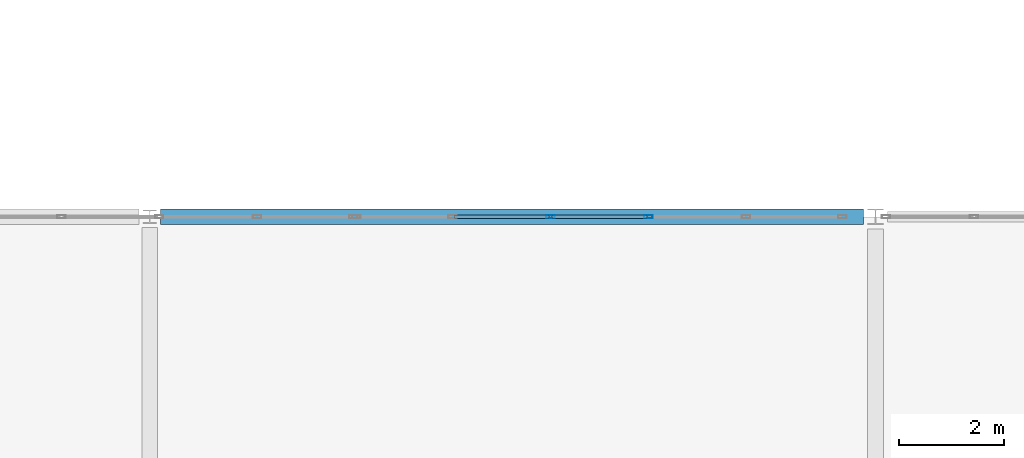
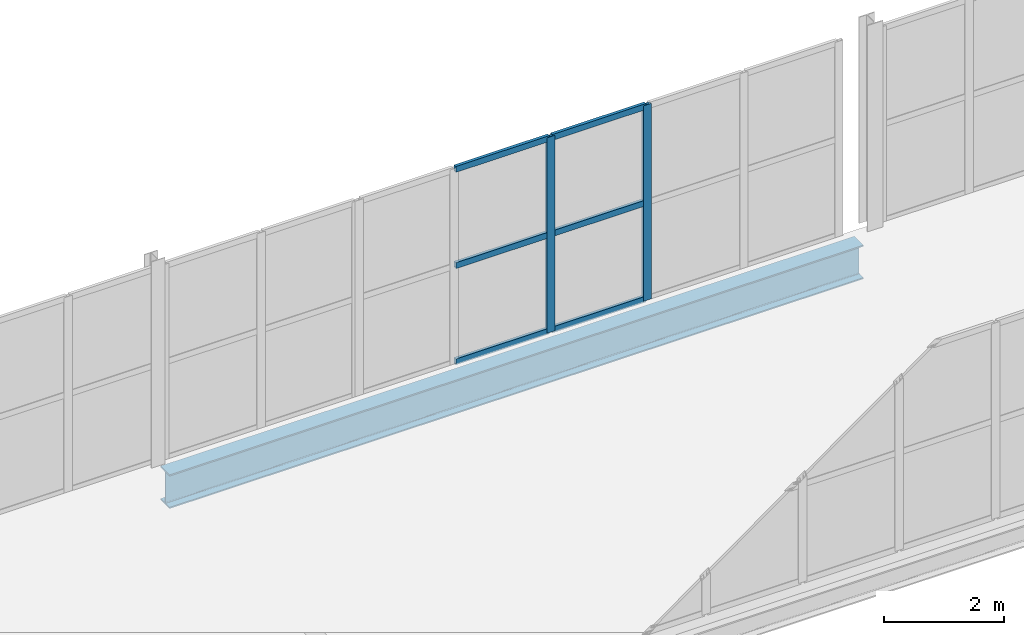
# One storey, part 64 of 121: 8 members, 1 beam, 1 element without a shape of its own.
"""IFC4 building model written with IfcOpenShell, lengths in metres."""

from ifc_helpers import new_model, si_unit, direction, frame, origin, origin_2d, place, context, subcontext, project, spatial, hollow_rectangle, i_section, extrude, material, layer, layer_set, material_profile, profile_set, type_object, element, aggregate, save


model = new_model("IFC4")

# Units and contexts
model_context = context("Model", 3, precision=1e-05, world=origin(), true_north=direction((0.0, 1.0)))
body_context = subcontext(model_context, "Body", "Model", "MODEL_VIEW")
ifc_project = project(units=[si_unit("LENGTHUNIT", "METRE"), si_unit("AREAUNIT", "SQUARE_METRE"), si_unit("VOLUMEUNIT", "CUBIC_METRE"), si_unit("PLANEANGLEUNIT", "RADIAN"), si_unit("MASSUNIT", "GRAM", prefix="KILO")], contexts=[model_context])

# Site, building, storey
site_placement = place(None, origin())
site = spatial("IfcSite", under=ifc_project, at=site_placement, CompositionType="ELEMENT")
building_placement = place(site_placement, origin())
building = spatial("IfcBuilding", under=site, at=building_placement, Name="Vinh Khe Railworks Police Headquarters", CompositionType="ELEMENT")
storey_placement = place(building_placement, frame((0.0, 0.0, 4.800048828125)))
storey = spatial("IfcBuildingStorey", under=building, at=storey_placement, Name="L01", CompositionType="ELEMENT", Elevation=4.800048828125)

# Curtain wall, members
ifc_material_1 = material(Name="Anodised aluminium and solar-control glass", Category="aluminium")
ifc_layer = layer(ifc_material_1, 0.159912109375)
ifc_layer_set = layer_set([ifc_layer], Name="Anodised aluminium and solar-control glass")
curtain_wall_type = type_object("IfcCurtainWallType", Name="CW-SHOPFRONT", PredefinedType="USERDEFINED", material=ifc_layer_set)
curtain_wall_placement = place(storey_placement, origin())
curtain_wall = element("IfcCurtainWall", 1, at=curtain_wall_placement, inside=storey, type_object=curtain_wall_type, Name="Link Bridge North Glazing L01 Bay 4", ObjectType="UNITISED GLAZING", PredefinedType="USERDEFINED")
ifc_material_2 = material(Name="Anodised aluminium 6063-T6", Category="aluminium")
ifc_material_profile_1 = material_profile(ifc_material_2, hollow_rectangle(XDim=0.06005859375, YDim=0.159912109375, WallThickness=0.00390625, at=origin_2d()), Name="CW-M 60x160x4")
ifc_profile_set_1 = profile_set([ifc_material_profile_1], Name="Anodised aluminium 6063-T6")
member_type_1 = type_object("IfcMemberType", Name="MULL-CWM-01", PredefinedType="MULLION", material=ifc_profile_set_1)
member_1_placement = place(storey_placement, frame((53.820068359375, 104.39990234375, 0.0), z_axis=(0.0, 0.0, 1.0), x_axis=(0.0, 1.0, 0.0)))
member_1 = element("IfcMember", 2, at=member_1_placement, type_object=member_type_1, Name="CW-03 mullion 3", PredefinedType="MULLION", context=body_context, shape_type="SweptSolid", body=[
    extrude(hollow_rectangle(XDim=0.06005859375, YDim=0.159912109375, WallThickness=0.00390625, at=origin_2d()), origin(), (0.0, 0.0, 1.0), 3.97998046875),
])
member_2_placement = place(storey_placement, frame((55.679931640625, 104.39990234375, 0.0), z_axis=(0.0, 0.0, 1.0), x_axis=(0.0, 1.0, 0.0)))
member_2 = element("IfcMember", 3, at=member_2_placement, type_object=member_type_1, Name="CW-03 mullion 4", PredefinedType="MULLION", context=body_context, shape_type="SweptSolid", body=[
    extrude(hollow_rectangle(XDim=0.06005859375, YDim=0.159912109375, WallThickness=0.00390625, at=origin_2d()), origin(), (0.0, 0.0, 1.0), 3.97998046875),
])

# Beam
ifc_material_3 = material(Name="Steel S355JR", Category="steel")
ifc_material_profile_2 = material_profile(ifc_material_3, i_section(OverallWidth=0.300048828125, OverallDepth=0.68994140625, WebThickness=0.014404296875, FlangeThickness=0.027099609375, FilletRadius=0.027099609375, at=origin_2d()), Name="HEA 700")
ifc_profile_set_2 = profile_set([ifc_material_profile_2], Name="Steel S355JR")
beam_type = type_object("IfcBeamType", Name="Steel Girder HEA 700", PredefinedType="BEAM", material=ifc_profile_set_2)
beam_placement = place(storey_placement, frame((46.405029296875, 104.39990234375, -0.5849609375), z_axis=(1.0, 0.0, 0.0), x_axis=(0.0, 1.0, 0.0)))
element("IfcBeam", 4, at=beam_placement, inside=storey, type_object=beam_type, Name="Girder BM-L01-EW-SB-08-0496", PredefinedType="BEAM", context=body_context, shape_type="SweptSolid", body=[
    extrude(i_section(OverallWidth=0.300048828125, OverallDepth=0.68994140625, WebThickness=0.014404296875, FlangeThickness=0.027099609375, FilletRadius=0.027099609375, at=origin_2d()), origin(), (0.0, 0.0, 1.0), 13.364990234375),
])

# Member
ifc_material_profile_3 = material_profile(ifc_material_2, hollow_rectangle(XDim=0.06005859375, YDim=0.1201171875, WallThickness=0.00390625, at=origin_2d()), Name="CW-T 60x120x4")
ifc_profile_set_3 = profile_set([ifc_material_profile_3], Name="Anodised aluminium 6063-T6")
member_type_2 = type_object("IfcMemberType", Name="TRAN-CWT-01", PredefinedType="USERDEFINED", material=ifc_profile_set_3)
member_3_placement = place(storey_placement, frame((51.989990234375, 104.39990234375, 0.030029296875), z_axis=(1.0, 0.0, 0.0), x_axis=(0.0, 1.0, 0.0)))
member_3 = element("IfcMember", 5, at=member_3_placement, type_object=member_type_2, Name="CW-03 transom 2.1", ObjectType="TRANSOM", PredefinedType="USERDEFINED", context=body_context, shape_type="SweptSolid", body=[
    extrude(hollow_rectangle(XDim=0.06005859375, YDim=0.1201171875, WallThickness=0.00390625, at=origin_2d()), origin(), (0.0, 0.0, 1.0), 1.800048828125),
])

member_4_placement = place(storey_placement, frame((51.989990234375, 104.39990234375, 1.989990234375), z_axis=(1.0, 0.0, 0.0), x_axis=(0.0, 1.0, 0.0)))
member_4 = element("IfcMember", 6, at=member_4_placement, type_object=member_type_2, Name="CW-03 transom 2.2", ObjectType="TRANSOM", PredefinedType="USERDEFINED", context=body_context, shape_type="SweptSolid", body=[
    extrude(hollow_rectangle(XDim=0.06005859375, YDim=0.1201171875, WallThickness=0.00390625, at=origin_2d()), origin(), (0.0, 0.0, 1.0), 1.800048828125),
])

member_5_placement = place(storey_placement, frame((51.989990234375, 104.39990234375, 3.949951171875), z_axis=(1.0, 0.0, 0.0), x_axis=(0.0, 1.0, 0.0)))
member_5 = element("IfcMember", 7, at=member_5_placement, type_object=member_type_2, Name="CW-03 transom 2.3", ObjectType="TRANSOM", PredefinedType="USERDEFINED", context=body_context, shape_type="SweptSolid", body=[
    extrude(hollow_rectangle(XDim=0.06005859375, YDim=0.1201171875, WallThickness=0.00390625, at=origin_2d()), origin(), (0.0, 0.0, 1.0), 1.800048828125),
])

member_6_placement = place(storey_placement, frame((53.85009765625, 104.39990234375, 0.030029296875), z_axis=(1.0, 0.0, 0.0), x_axis=(0.0, 1.0, 0.0)))
member_6 = element("IfcMember", 8, at=member_6_placement, type_object=member_type_2, Name="CW-03 transom 3.1", ObjectType="TRANSOM", PredefinedType="USERDEFINED", context=body_context, shape_type="SweptSolid", body=[
    extrude(hollow_rectangle(XDim=0.06005859375, YDim=0.1201171875, WallThickness=0.00390625, at=origin_2d()), origin(), (0.0, 0.0, 1.0), 1.7998046875),
])

member_7_placement = place(storey_placement, frame((53.85009765625, 104.39990234375, 1.989990234375), z_axis=(1.0, 0.0, 0.0), x_axis=(0.0, 1.0, 0.0)))
member_7 = element("IfcMember", 9, at=member_7_placement, type_object=member_type_2, Name="CW-03 transom 3.2", ObjectType="TRANSOM", PredefinedType="USERDEFINED", context=body_context, shape_type="SweptSolid", body=[
    extrude(hollow_rectangle(XDim=0.06005859375, YDim=0.1201171875, WallThickness=0.00390625, at=origin_2d()), origin(), (0.0, 0.0, 1.0), 1.7998046875),
])

member_8_placement = place(storey_placement, frame((53.85009765625, 104.39990234375, 3.949951171875), z_axis=(1.0, 0.0, 0.0), x_axis=(0.0, 1.0, 0.0)))
member_8 = element("IfcMember", 10, at=member_8_placement, type_object=member_type_2, Name="CW-03 transom 3.3", ObjectType="TRANSOM", PredefinedType="USERDEFINED", context=body_context, shape_type="SweptSolid", body=[
    extrude(hollow_rectangle(XDim=0.06005859375, YDim=0.1201171875, WallThickness=0.00390625, at=origin_2d()), origin(), (0.0, 0.0, 1.0), 1.7998046875),
])

aggregate(curtain_wall, [member_1, member_2, member_3, member_4, member_5, member_6, member_7, member_8])

save(model, "model.ifc")
